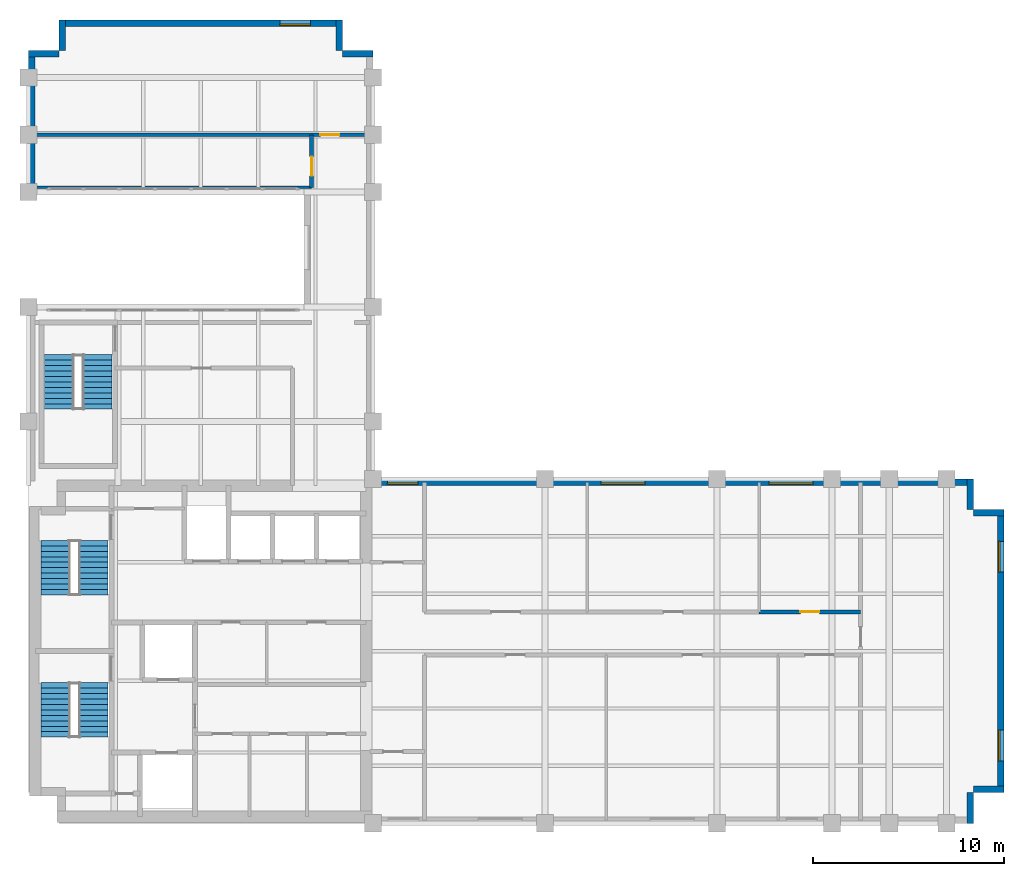
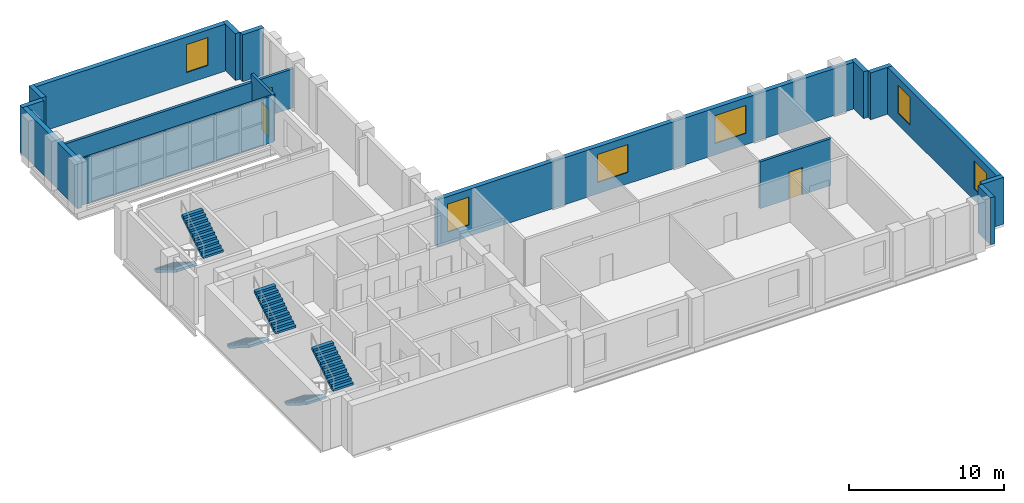
# One storey, part 8 of 9: 16 walls, 6 stair flights, 6 windows, 3 doors, 9 openings, 3 elements without a shape of their own.
"""IFC4 building model written with IfcOpenShell, lengths in metres."""

from ifc_helpers import new_model, si_unit, direction, frame, frame_2d, origin, place, context, subcontext, project, spatial, polyline, rectangle, outline, extrude, material, layer, layer_set, type_object, element, fill, aggregate, save


model = new_model("IFC4")

# Units and contexts
model_context = context("Model", 3, precision=1e-05, world=origin(), true_north=direction((0.0, 1.0)))
body_context = subcontext(model_context, "Body", "Model", "MODEL_VIEW")
ifc_project = project(units=[si_unit("LENGTHUNIT", "METRE"), si_unit("AREAUNIT", "SQUARE_METRE"), si_unit("VOLUMEUNIT", "CUBIC_METRE"), si_unit("PLANEANGLEUNIT", "RADIAN"), si_unit("MASSUNIT", "GRAM", prefix="KILO")], contexts=[model_context])

# Site, building, storey
site_placement = place(None, origin())
site = spatial("IfcSite", under=ifc_project, at=site_placement, CompositionType="ELEMENT")
building_placement = place(site_placement, origin())
building = spatial("IfcBuilding", under=site, at=building_placement, Name="Mawjdan Bourse Tower", CompositionType="ELEMENT")
storey_placement = place(building_placement, frame((0.0, 0.0, 195.60009765625)))
storey = spatial("IfcBuildingStorey", under=building, at=storey_placement, Name="L47", CompositionType="ELEMENT", Elevation=195.60009765625)

# Walls
ifc_material_1 = material(Name="Brick Masonry Buff", Category="masonry")
ifc_layer_1 = layer(ifc_material_1, 0.340087890625)
ifc_layer_set_1 = layer_set([ifc_layer_1], Name="Brick Masonry Buff")
wall_type_1 = type_object("IfcWallType", Name="WL-BRK-SPN-340", PredefinedType="STANDARD", material=ifc_layer_set_1)
for number, where, z_axis, x_axis, name in (
    (1, (55.22998046875, 3.0, 0.0), (0.0, 0.0, 1.0), (0.0, 1.0, 0.0), "L47 Exterior Brick Wall 2"),
    (2, (55.39990234375, 4.77001953125, 0.0), (0.0, 0.0, 1.0), (1.0, 0.0, 0.0), "L47 Exterior Brick Wall 3"),
):
    element("IfcWall", number, at=place(storey_placement, frame(where, z_axis=z_axis, x_axis=x_axis)), inside=storey, type_object=wall_type_1, Name=name, PredefinedType="STANDARD", context=body_context, shape_type="SweptSolid", body=[
        extrude(rectangle(XDim=1.60009765625, YDim=0.340087890625, at=frame_2d((0.800048828125, 0.0))), origin(), (0.0, 0.0, 1.0), 3.699951171875),
    ])

# Wall, openings, windows
wall_1_placement = place(storey_placement, frame((56.830078125, 4.60009765625, 0.0), z_axis=(0.0, 0.0, 1.0), x_axis=(0.0, 1.0, 0.0)))
wall_1 = element("IfcWall", 3, at=wall_1_placement, inside=storey, type_object=wall_type_1, Name="L47 Exterior Brick Wall 4", PredefinedType="STANDARD", context=body_context, shape_type="SweptSolid", body=[
    extrude(rectangle(XDim=14.7998046875, YDim=0.340087890625, at=frame_2d((7.39990234375, 0.0))), origin(), (0.0, 0.0, 1.0), 3.699951171875),
])
opening_1_placement = place(wall_1_placement, frame((1.666748046875, 0.0, 0.89990234375)))
opening_1 = element("IfcOpeningElement", 4, at=opening_1_placement, cuts=wall_1, Name="Opening W-L47-03", PredefinedType="OPENING", context=body_context, shape_type="SweptSolid", body=[
    extrude(rectangle(XDim=1.60009765625, YDim=2.199951171875, at=frame_2d((0.800048828125, 1.10009765625))), frame((0.0, 0.18017578125, 0.0), z_axis=(0.0, -1.0, 0.0), x_axis=(1.0, 0.0, 0.0)), (0.0, 0.0, 1.0), 0.360107421875),
])
opening_2_placement = place(wall_1_placement, frame((11.533203125, 0.0, 0.89990234375)))
opening_2 = element("IfcOpeningElement", 5, at=opening_2_placement, cuts=wall_1, Name="Opening W-L47-04", PredefinedType="OPENING", context=body_context, shape_type="SweptSolid", body=[
    extrude(rectangle(XDim=1.60009765625, YDim=2.199951171875, at=frame_2d((0.800048828125, 1.10009765625))), frame((0.0, 0.18017578125, 0.0), z_axis=(0.0, -1.0, 0.0), x_axis=(1.0, 0.0, 0.0)), (0.0, 0.0, 1.0), 0.360107421875),
])
ifc_material_2 = material(Name="Solar-Control Clear Double Glazing", Category="glass")
window_type_1 = type_object("IfcWindowType", Name="WN-Z3-1600", PartitioningType="SINGLE_PANEL", PredefinedType="WINDOW", material=ifc_material_2)
window_1_placement = place(opening_1_placement, origin())
window_1 = element("IfcWindow", 6, at=window_1_placement, inside=storey, type_object=window_type_1, Name="L47 Deep-Set Masonry Window W-L47-03", OverallHeight=2.199951171875, OverallWidth=1.60009765625, PartitioningType="SINGLE_PANEL", PredefinedType="WINDOW", context=body_context, shape_type="SweptSolid", body=[
    extrude(rectangle(XDim=1.60009765625, YDim=2.199951171875, at=frame_2d((0.800048828125, 1.10009765625))), frame((0.0, 0.110107421875, 0.0), z_axis=(0.0, -1.0, 0.0), x_axis=(1.0, 0.0, 0.0)), (0.0, 0.0, 1.0), 0.06005859375),
])
fill(opening_1, window_1)
window_2_placement = place(opening_2_placement, origin())
window_2 = element("IfcWindow", 7, at=window_2_placement, inside=storey, type_object=window_type_1, Name="L47 Deep-Set Masonry Window W-L47-04", OverallHeight=2.199951171875, OverallWidth=1.60009765625, PartitioningType="SINGLE_PANEL", PredefinedType="WINDOW", context=body_context, shape_type="SweptSolid", body=[
    extrude(rectangle(XDim=1.60009765625, YDim=2.199951171875, at=frame_2d((0.800048828125, 1.10009765625))), frame((0.0, 0.110107421875, 0.0), z_axis=(0.0, -1.0, 0.0), x_axis=(1.0, 0.0, 0.0)), (0.0, 0.0, 1.0), 0.06005859375),
])
fill(opening_2, window_2)

# Walls
for number, where, z_axis, x_axis, name in (
    (8, (57.0, 19.22998046875, 0.0), (0.0, 0.0, 1.0), (-1.0, 0.0, 0.0), "L47 Exterior Brick Wall 5"),
    (9, (55.22998046875, 19.39990234375, 0.0), (0.0, 0.0, 1.0), (0.0, 1.0, 0.0), "L47 Exterior Brick Wall 6"),
):
    element("IfcWall", number, at=place(storey_placement, frame(where, z_axis=z_axis, x_axis=x_axis)), inside=storey, type_object=wall_type_1, Name=name, PredefinedType="STANDARD", context=body_context, shape_type="SweptSolid", body=[
        extrude(rectangle(XDim=1.60009765625, YDim=0.340087890625, at=frame_2d((0.800048828125, 0.0))), origin(), (0.0, 0.0, 1.0), 3.699951171875),
    ])

# Wall, openings, windows
wall_2_placement = place(storey_placement, frame((55.39990234375, 20.830078125, 0.0), z_axis=(0.0, 0.0, 1.0), x_axis=(-1.0, 0.0, 0.0)))
wall_2 = element("IfcWall", 10, at=wall_2_placement, inside=storey, type_object=wall_type_1, Name="L47 Exterior Brick Wall 7", PredefinedType="STANDARD", context=body_context, shape_type="SweptSolid", body=[
    extrude(rectangle(XDim=31.39990234375, YDim=0.340087890625, at=frame_2d((15.699951171875, 0.0))), origin(), (0.0, 0.0, 1.0), 3.699951171875),
])
opening_3_placement = place(wall_2_placement, frame((17.166748046875, 0.0, 0.89990234375)))
opening_3 = element("IfcOpeningElement", 11, at=opening_3_placement, cuts=wall_2, Name="Opening W-L47-05", PredefinedType="OPENING", context=body_context, shape_type="SweptSolid", body=[
    extrude(rectangle(XDim=2.300048828125, YDim=2.199951171875, at=frame_2d((1.14990234375, 1.10009765625))), frame((0.0, 0.18017578125, 0.0), z_axis=(0.0, -1.0, 0.0), x_axis=(1.0, 0.0, 0.0)), (0.0, 0.0, 1.0), 0.360107421875),
])
opening_4_placement = place(wall_2_placement, frame((29.0458984375, 0.0, 0.89990234375)))
opening_4 = element("IfcOpeningElement", 12, at=opening_4_placement, cuts=wall_2, Name="Opening W-L47-09", PredefinedType="OPENING", context=body_context, shape_type="SweptSolid", body=[
    extrude(rectangle(XDim=1.60009765625, YDim=2.199951171875, at=frame_2d((0.800048828125, 1.10009765625))), frame((0.0, 0.18017578125, 0.0), z_axis=(0.0, -1.0, 0.0), x_axis=(1.0, 0.0, 0.0)), (0.0, 0.0, 1.0), 0.360107421875),
])
opening_5_placement = place(wall_2_placement, frame((8.374755859375, 0.0, 0.89990234375)))
opening_5 = element("IfcOpeningElement", 13, at=opening_5_placement, cuts=wall_2, Name="Opening W-L47-11", PredefinedType="OPENING", context=body_context, shape_type="SweptSolid", body=[
    extrude(rectangle(XDim=2.300048828125, YDim=2.199951171875, at=frame_2d((1.14990234375, 1.10009765625))), frame((0.0, 0.18017578125, 0.0), z_axis=(0.0, -1.0, 0.0), x_axis=(1.0, 0.0, 0.0)), (0.0, 0.0, 1.0), 0.360107421875),
])
window_3_placement = place(opening_4_placement, origin())
window_3 = element("IfcWindow", 14, at=window_3_placement, inside=storey, type_object=window_type_1, Name="L47 Deep-Set Masonry Window W-L47-09", OverallHeight=2.199951171875, OverallWidth=1.60009765625, PartitioningType="SINGLE_PANEL", PredefinedType="WINDOW", context=body_context, shape_type="SweptSolid", body=[
    extrude(rectangle(XDim=1.60009765625, YDim=2.199951171875, at=frame_2d((0.800048828125, 1.10009765625))), frame((0.0, 0.110107421875, 0.0), z_axis=(0.0, -1.0, 0.0), x_axis=(1.0, 0.0, 0.0)), (0.0, 0.0, 1.0), 0.06005859375),
])
fill(opening_4, window_3)
window_type_2 = type_object("IfcWindowType", Name="WN-Z3-2300", PartitioningType="SINGLE_PANEL", PredefinedType="WINDOW", material=ifc_material_2)
window_4_placement = place(opening_3_placement, origin())
window_4 = element("IfcWindow", 15, at=window_4_placement, inside=storey, type_object=window_type_2, Name="L47 Deep-Set Masonry Window W-L47-05", OverallHeight=2.199951171875, OverallWidth=2.300048828125, PartitioningType="SINGLE_PANEL", PredefinedType="WINDOW", context=body_context, shape_type="SweptSolid", body=[
    extrude(rectangle(XDim=2.300048828125, YDim=2.199951171875, at=frame_2d((1.14990234375, 1.10009765625))), frame((0.0, 0.110107421875, 0.0), z_axis=(0.0, -1.0, 0.0), x_axis=(1.0, 0.0, 0.0)), (0.0, 0.0, 1.0), 0.06005859375),
])
fill(opening_3, window_4)
window_5_placement = place(opening_5_placement, origin())
window_5 = element("IfcWindow", 16, at=window_5_placement, inside=storey, type_object=window_type_2, Name="L47 Deep-Set Masonry Window W-L47-11", OverallHeight=2.199951171875, OverallWidth=2.300048828125, PartitioningType="SINGLE_PANEL", PredefinedType="WINDOW", context=body_context, shape_type="SweptSolid", body=[
    extrude(rectangle(XDim=2.300048828125, YDim=2.199951171875, at=frame_2d((1.14990234375, 1.10009765625))), frame((0.0, 0.110107421875, 0.0), z_axis=(0.0, -1.0, 0.0), x_axis=(1.0, 0.0, 0.0)), (0.0, 0.0, 1.0), 0.06005859375),
])
fill(opening_5, window_5)

# Walls
for number, where, z_axis, x_axis, name in (
    (17, (24.0, 43.22998046875, 0.0), (0.0, 0.0, 1.0), (-1.0, 0.0, 0.0), "L47 Exterior Brick Wall 9"),
    (18, (22.22998046875, 43.39990234375, 0.0), (0.0, 0.0, 1.0), (0.0, 1.0, 0.0), "L47 Exterior Brick Wall 10"),
):
    element("IfcWall", number, at=place(storey_placement, frame(where, z_axis=z_axis, x_axis=x_axis)), inside=storey, type_object=wall_type_1, Name=name, PredefinedType="STANDARD", context=body_context, shape_type="SweptSolid", body=[
        extrude(rectangle(XDim=1.60009765625, YDim=0.340087890625, at=frame_2d((0.800048828125, 0.0))), origin(), (0.0, 0.0, 1.0), 3.699951171875),
    ])

# Wall, opening, window
wall_3_placement = place(storey_placement, frame((22.39990234375, 44.830078125, 0.0), z_axis=(0.0, 0.0, 1.0), x_axis=(-1.0, 0.0, 0.0)))
wall_3 = element("IfcWall", 19, at=wall_3_placement, inside=storey, type_object=wall_type_1, Name="L47 Exterior Brick Wall 11", PredefinedType="STANDARD", context=body_context, shape_type="SweptSolid", body=[
    extrude(rectangle(XDim=14.7998046875, YDim=0.340087890625, at=frame_2d((7.39990234375, 0.0))), origin(), (0.0, 0.0, 1.0), 3.699951171875),
])
opening_6_placement = place(wall_3_placement, frame((1.666748046875, 0.0, 0.89990234375)))
opening_6 = element("IfcOpeningElement", 20, at=opening_6_placement, cuts=wall_3, Name="Opening W-L47-06", PredefinedType="OPENING", context=body_context, shape_type="SweptSolid", body=[
    extrude(rectangle(XDim=1.60009765625, YDim=2.199951171875, at=frame_2d((0.800048828125, 1.10009765625))), frame((0.0, 0.18017578125, 0.0), z_axis=(0.0, -1.0, 0.0), x_axis=(1.0, 0.0, 0.0)), (0.0, 0.0, 1.0), 0.360107421875),
])
window_6_placement = place(opening_6_placement, origin())
window_6 = element("IfcWindow", 21, at=window_6_placement, inside=storey, type_object=window_type_1, Name="L47 Deep-Set Masonry Window W-L47-06", OverallHeight=2.199951171875, OverallWidth=1.60009765625, PartitioningType="SINGLE_PANEL", PredefinedType="WINDOW", context=body_context, shape_type="SweptSolid", body=[
    extrude(rectangle(XDim=1.60009765625, YDim=2.199951171875, at=frame_2d((0.800048828125, 1.10009765625))), frame((0.0, 0.110107421875, 0.0), z_axis=(0.0, -1.0, 0.0), x_axis=(1.0, 0.0, 0.0)), (0.0, 0.0, 1.0), 0.06005859375),
])
fill(opening_6, window_6)

# Walls
for number, where, z_axis, x_axis, name in (
    (22, (7.77001953125, 45.0, 0.0), (0.0, 0.0, 1.0), (0.0, -1.0, 0.0), "L47 Exterior Brick Wall 12"),
    (23, (7.60009765625, 43.22998046875, 0.0), (0.0, 0.0, 1.0), (-1.0, 0.0, 0.0), "L47 Exterior Brick Wall 13"),
):
    element("IfcWall", number, at=place(storey_placement, frame(where, z_axis=z_axis, x_axis=x_axis)), inside=storey, type_object=wall_type_1, Name=name, PredefinedType="STANDARD", context=body_context, shape_type="SweptSolid", body=[
        extrude(rectangle(XDim=1.60009765625, YDim=0.340087890625, at=frame_2d((0.800048828125, 0.0))), origin(), (0.0, 0.0, 1.0), 3.699951171875),
    ])
wall_4_placement = place(storey_placement, frame((6.169921875, 43.39990234375, 0.0), z_axis=(0.0, 0.0, 1.0), x_axis=(0.0, -1.0, 0.0)))
element("IfcWall", 24, at=wall_4_placement, inside=storey, type_object=wall_type_1, Name="L47 Exterior Brick Wall 14", PredefinedType="STANDARD", context=body_context, shape_type="SweptSolid", body=[
    extrude(rectangle(XDim=7.39990234375, YDim=0.340087890625, at=frame_2d((3.699951171875, 0.0))), origin(), (0.0, 0.0, 1.0), 3.699951171875),
])

# Wall, opening, door
ifc_material_3 = material(Name="Gypsum Fireboard Assembly")
ifc_layer_2 = layer(ifc_material_3, 0.199951171875)
ifc_layer_set_2 = layer_set([ifc_layer_2], Name="Gypsum Fireboard Assembly")
wall_type_2 = type_object("IfcWallType", Name="WL-CMP-200", PredefinedType="PARTITIONING", material=ifc_layer_set_2)
wall_5_placement = place(storey_placement, frame((44.199951171875, 14.050048828125, 0.0), z_axis=(0.0, 0.0, 1.0), x_axis=(1.0, 0.0, 0.0)))
wall_5 = element("IfcWall", 25, at=wall_5_placement, inside=storey, type_object=wall_type_2, Name="L47 Archive Room Corridor Wall", PredefinedType="PARTITIONING", context=body_context, shape_type="SweptSolid", body=[
    extrude(rectangle(XDim=5.300048828125, YDim=0.199951171875, at=frame_2d((2.64990234375, 0.0))), origin(), (0.0, 0.0, 1.0), 3.68994140625),
])
opening_7_placement = place(wall_5_placement, frame((2.14990234375, 0.0, 0.0)))
opening_7 = element("IfcOpeningElement", 26, at=opening_7_placement, cuts=wall_5, Name="Opening D-L47-27", PredefinedType="OPENING", context=body_context, shape_type="SweptSolid", body=[
    extrude(rectangle(XDim=1.0, YDim=2.14990234375, at=frame_2d((0.5, 1.074951171875))), frame((0.0, 0.10986328125, 0.0), z_axis=(0.0, -1.0, 0.0), x_axis=(1.0, 0.0, 0.0)), (0.0, 0.0, 1.0), 0.219970703125),
])
ifc_material_4 = material(Name="Hardwood Acoustic Leaf", Category="wood")
door_type = type_object("IfcDoorType", Name="DR-OFC-1000", OperationType="NOTDEFINED", PredefinedType="DOOR", material=ifc_material_4)
door_1_placement = place(opening_7_placement, origin())
door_1 = element("IfcDoor", 27, at=door_1_placement, inside=storey, type_object=door_type, Name="L47 Archive Room Door D-L47-27", OperationType="SINGLE_SWING_RIGHT", OverallHeight=2.14990234375, OverallWidth=1.0, PredefinedType="DOOR", context=body_context, shape_type="SweptSolid", body=[
    extrude(rectangle(XDim=1.0, YDim=2.14990234375, at=frame_2d((0.5, 1.074951171875))), frame((0.0, 0.02490234375, 0.0), z_axis=(0.0, -1.0, 0.0), x_axis=(1.0, 0.0, 0.0)), (0.0, 0.0, 1.0), 0.050048828125),
])
fill(opening_7, door_1)

wall_6_placement = place(storey_placement, frame((20.800048828125, 36.25, 0.0), z_axis=(0.0, 0.0, 1.0), x_axis=(0.0, 1.0, 0.0)))
wall_6 = element("IfcWall", 28, at=wall_6_placement, inside=storey, type_object=wall_type_2, Name="L47 North Portal Outer Corridor Wall", PredefinedType="PARTITIONING", context=body_context, shape_type="SweptSolid", body=[
    extrude(rectangle(XDim=2.75, YDim=0.199951171875, at=frame_2d((1.375, 0.0))), origin(), (0.0, 0.0, 1.0), 3.68994140625),
])
opening_8_placement = place(wall_6_placement, frame((0.60009765625, 0.0, 0.0)))
opening_8 = element("IfcOpeningElement", 29, at=opening_8_placement, cuts=wall_6, Name="Opening D-L47-30", PredefinedType="OPENING", context=body_context, shape_type="SweptSolid", body=[
    extrude(rectangle(XDim=1.0, YDim=2.14990234375, at=frame_2d((0.5, 1.074951171875))), frame((0.0, 0.10986328125, 0.0), z_axis=(0.0, -1.0, 0.0), x_axis=(1.0, 0.0, 0.0)), (0.0, 0.0, 1.0), 0.219970703125),
])
door_2_placement = place(opening_8_placement, origin())
door_2 = element("IfcDoor", 30, at=door_2_placement, inside=storey, type_object=door_type, Name="L47 North Portal Outer Suite Door D-L47-30", OperationType="SINGLE_SWING_LEFT", OverallHeight=2.14990234375, OverallWidth=1.0, PredefinedType="DOOR", context=body_context, shape_type="SweptSolid", body=[
    extrude(rectangle(XDim=1.0, YDim=2.14990234375, at=frame_2d((0.5, 1.074951171875))), frame((0.0, 0.02490234375, 0.0), z_axis=(0.0, -1.0, 0.0), x_axis=(1.0, 0.0, 0.0)), (0.0, 0.0, 1.0), 0.050048828125),
])
fill(opening_8, door_2)

wall_7_placement = place(storey_placement, frame((6.179931640625, 39.0, 0.0), z_axis=(0.0, 0.0, 1.0), x_axis=(1.0, 0.0, 0.0)))
wall_7 = element("IfcWall", 31, at=wall_7_placement, inside=storey, type_object=wall_type_2, Name="L47 North Tip Full Cross Wall", PredefinedType="PARTITIONING", context=body_context, shape_type="SweptSolid", body=[
    extrude(rectangle(XDim=17.64013671875, YDim=0.199951171875, at=frame_2d((8.820068359375, 0.0))), origin(), (0.0, 0.0, 1.0), 3.072998046875),
])
opening_9_placement = place(wall_7_placement, frame((15.074951171875, 0.0, 0.0)))
opening_9 = element("IfcOpeningElement", 32, at=opening_9_placement, cuts=wall_7, Name="Opening D-L47-31", PredefinedType="OPENING", context=body_context, shape_type="SweptSolid", body=[
    extrude(rectangle(XDim=1.0, YDim=2.14990234375, at=frame_2d((0.5, 1.074951171875))), frame((0.0, 0.10986328125, 0.0), z_axis=(0.0, -1.0, 0.0), x_axis=(1.0, 0.0, 0.0)), (0.0, 0.0, 1.0), 0.219970703125),
])
door_3_placement = place(opening_9_placement, origin())
door_3 = element("IfcDoor", 33, at=door_3_placement, inside=storey, type_object=door_type, Name="L47 North Tip Suite Door D-L47-31", OperationType="SINGLE_SWING_RIGHT", OverallHeight=2.14990234375, OverallWidth=1.0, PredefinedType="DOOR", context=body_context, shape_type="SweptSolid", body=[
    extrude(rectangle(XDim=1.0, YDim=2.14990234375, at=frame_2d((0.5, 1.074951171875))), frame((0.0, 0.02490234375, 0.0), z_axis=(0.0, -1.0, 0.0), x_axis=(1.0, 0.0, 0.0)), (0.0, 0.0, 1.0), 0.050048828125),
])
fill(opening_9, door_3)

# Wall
ifc_material_5 = material(Name="Gypsum Partition")
ifc_layer_3 = layer(ifc_material_5, 0.125)
ifc_layer_set_3 = layer_set([ifc_layer_3], Name="Gypsum Partition")
wall_type_3 = type_object("IfcWallType", Name="WL-PRT-125", PredefinedType="PARTITIONING", material=ifc_layer_set_3)
wall_8_placement = place(storey_placement, frame((6.179931640625, 36.25, 0.0), z_axis=(0.0, 0.0, 1.0), x_axis=(1.0, 0.0, 0.0)))
element("IfcWall", 34, at=wall_8_placement, inside=storey, type_object=wall_type_3, Name="L47 North Portal North Cheek Wall", PredefinedType="PARTITIONING", context=body_context, shape_type="SweptSolid", body=[
    extrude(rectangle(XDim=14.6201171875, YDim=0.125, at=frame_2d((7.31005859375, 0.0))), origin(), (0.0, 0.0, 1.0), 3.68994140625),
])

# Stair, stair flights
ifc_material_6 = material(Name="Concrete C50/60", Category="concrete")
stair_type = type_object("IfcStairType", Name="STR-CORE-1500", PredefinedType="HALF_TURN_STAIR", material=ifc_material_6)
stair_1_placement = place(storey_placement, origin())
stair_1 = element("IfcStair", 35, at=stair_1_placement, inside=storey, type_object=stair_type, Name="L47 Exit Stair 1 (Core South-West)", PredefinedType="HALF_TURN_STAIR")
stair_flight_type = type_object("IfcStairFlightType", Name="SFL-RC-1500", PredefinedType="STRAIGHT", material=ifc_material_6)
stair_flight_1_placement = place(storey_placement, frame((7.389892578125, 10.35009765625, 0.0), z_axis=(0.0, 0.0, 1.0), x_axis=(0.0, -1.0, 0.0)))
stair_flight_1 = element("IfcStairFlight", 36, at=stair_flight_1_placement, type_object=stair_flight_type, Name="ST1-L47 flight 1", NumberOfRisers=11, NumberOfTreads=10, PredefinedType="STRAIGHT", RiserHeight=0.177273, TreadLength=0.285, context=body_context, shape_type="SweptSolid", body=[
    extrude(outline(polyline([(0.0, 0.0), (0.0, 0.17724609375), (0.284912109375, 0.17724609375), (0.284912109375, 0.3544921875), (0.570068359375, 0.3544921875), (0.570068359375, 0.53173828125), (0.85498046875, 0.53173828125), (0.85498046875, 0.708984375), (1.139892578125, 0.708984375), (1.139892578125, 0.886474609375), (1.425048828125, 0.886474609375), (1.425048828125, 1.063720703125), (1.7099609375, 1.063720703125), (1.7099609375, 1.240966796875), (1.9951171875, 1.240966796875), (1.9951171875, 1.418212890625), (2.280029296875, 1.418212890625), (2.280029296875, 1.595458984375), (2.56494140625, 1.595458984375), (2.56494140625, 1.772705078125), (2.85009765625, 1.772705078125), (2.85009765625, 1.949951171875), (2.85009765625, 1.58447265625), (0.302734375, 0.0), (0.0, 0.0)])), frame((0.0, 0.75, 0.0), z_axis=(0.0, -1.0, 0.0), x_axis=(1.0, 0.0, 0.0)), (0.0, 0.0, 1.0), 1.5),
])
stair_flight_2_placement = place(storey_placement, frame((9.409912109375, 7.5, 1.949951171875), z_axis=(0.0, 0.0, 1.0), x_axis=(0.0, 1.0, 0.0)))
stair_flight_2 = element("IfcStairFlight", 37, at=stair_flight_2_placement, type_object=stair_flight_type, Name="ST1-L47 flight 2", NumberOfRisers=11, NumberOfTreads=10, PredefinedType="STRAIGHT", RiserHeight=0.177273, TreadLength=0.285, context=body_context, shape_type="SweptSolid", body=[
    extrude(outline(polyline([(0.0, 0.0), (0.0, 0.17724609375), (0.284912109375, 0.17724609375), (0.284912109375, 0.3544921875), (0.570068359375, 0.3544921875), (0.570068359375, 0.53173828125), (0.85498046875, 0.53173828125), (0.85498046875, 0.708984375), (1.139892578125, 0.708984375), (1.139892578125, 0.886474609375), (1.425048828125, 0.886474609375), (1.425048828125, 1.063720703125), (1.7099609375, 1.063720703125), (1.7099609375, 1.240966796875), (1.9951171875, 1.240966796875), (1.9951171875, 1.418212890625), (2.280029296875, 1.418212890625), (2.280029296875, 1.595458984375), (2.56494140625, 1.595458984375), (2.56494140625, 1.772705078125), (2.85009765625, 1.772705078125), (2.85009765625, 1.949951171875), (2.85009765625, 1.58447265625), (0.302734375, 0.0), (0.0, 0.0)])), frame((0.0, 0.75, 0.0), z_axis=(0.0, -1.0, 0.0), x_axis=(1.0, 0.0, 0.0)), (0.0, 0.0, 1.0), 1.5),
])
aggregate(stair_1, [stair_flight_1, stair_flight_2])

stair_2_placement = place(storey_placement, origin())
stair_2 = element("IfcStair", 38, at=stair_2_placement, inside=storey, type_object=stair_type, Name="L47 Exit Stair 2 (Core North-West)", PredefinedType="HALF_TURN_STAIR")
stair_flight_3_placement = place(storey_placement, frame((7.389892578125, 17.7900390625, 0.0), z_axis=(0.0, 0.0, 1.0), x_axis=(0.0, -1.0, 0.0)))
stair_flight_3 = element("IfcStairFlight", 39, at=stair_flight_3_placement, type_object=stair_flight_type, Name="ST2-L47 flight 1", NumberOfRisers=11, NumberOfTreads=10, PredefinedType="STRAIGHT", RiserHeight=0.177273, TreadLength=0.285, context=body_context, shape_type="SweptSolid", body=[
    extrude(outline(polyline([(0.0, 0.0), (0.0, 0.17724609375), (0.284912109375, 0.17724609375), (0.284912109375, 0.3544921875), (0.570068359375, 0.3544921875), (0.570068359375, 0.53173828125), (0.85498046875, 0.53173828125), (0.85498046875, 0.708984375), (1.139892578125, 0.708984375), (1.139892578125, 0.886474609375), (1.425048828125, 0.886474609375), (1.425048828125, 1.063720703125), (1.7099609375, 1.063720703125), (1.7099609375, 1.240966796875), (1.9951171875, 1.240966796875), (1.9951171875, 1.418212890625), (2.280029296875, 1.418212890625), (2.280029296875, 1.595458984375), (2.56494140625, 1.595458984375), (2.56494140625, 1.772705078125), (2.85009765625, 1.772705078125), (2.85009765625, 1.949951171875), (2.85009765625, 1.58447265625), (0.302734375, 0.0), (0.0, 0.0)])), frame((0.0, 0.75, 0.0), z_axis=(0.0, -1.0, 0.0), x_axis=(1.0, 0.0, 0.0)), (0.0, 0.0, 1.0), 1.5),
])
stair_flight_4_placement = place(storey_placement, frame((9.409912109375, 14.93994140625, 1.949951171875), z_axis=(0.0, 0.0, 1.0), x_axis=(0.0, 1.0, 0.0)))
stair_flight_4 = element("IfcStairFlight", 40, at=stair_flight_4_placement, type_object=stair_flight_type, Name="ST2-L47 flight 2", NumberOfRisers=11, NumberOfTreads=10, PredefinedType="STRAIGHT", RiserHeight=0.177273, TreadLength=0.285, context=body_context, shape_type="SweptSolid", body=[
    extrude(outline(polyline([(0.0, 0.0), (0.0, 0.17724609375), (0.284912109375, 0.17724609375), (0.284912109375, 0.3544921875), (0.570068359375, 0.3544921875), (0.570068359375, 0.53173828125), (0.85498046875, 0.53173828125), (0.85498046875, 0.708984375), (1.139892578125, 0.708984375), (1.139892578125, 0.886474609375), (1.425048828125, 0.886474609375), (1.425048828125, 1.063720703125), (1.7099609375, 1.063720703125), (1.7099609375, 1.240966796875), (1.9951171875, 1.240966796875), (1.9951171875, 1.418212890625), (2.280029296875, 1.418212890625), (2.280029296875, 1.595458984375), (2.56494140625, 1.595458984375), (2.56494140625, 1.772705078125), (2.85009765625, 1.772705078125), (2.85009765625, 1.949951171875), (2.85009765625, 1.58447265625), (0.302734375, 0.0), (0.0, 0.0)])), frame((0.0, 0.75, 0.0), z_axis=(0.0, -1.0, 0.0), x_axis=(1.0, 0.0, 0.0)), (0.0, 0.0, 1.0), 1.5),
])
aggregate(stair_2, [stair_flight_3, stair_flight_4])

stair_3_placement = place(storey_placement, origin())
stair_3 = element("IfcStair", 41, at=stair_3_placement, inside=storey, type_object=stair_type, Name="L47 Exit Stair 3 (North Wing)", PredefinedType="HALF_TURN_STAIR")
stair_flight_5_placement = place(storey_placement, frame((7.590087890625, 27.5, 0.0), z_axis=(0.0, 0.0, 1.0), x_axis=(0.0, -1.0, 0.0)))
stair_flight_5 = element("IfcStairFlight", 42, at=stair_flight_5_placement, type_object=stair_flight_type, Name="ST3-L47 flight 1", NumberOfRisers=11, NumberOfTreads=10, PredefinedType="STRAIGHT", RiserHeight=0.177273, TreadLength=0.285, context=body_context, shape_type="SweptSolid", body=[
    extrude(outline(polyline([(0.0, 0.0), (0.0, 0.17724609375), (0.284912109375, 0.17724609375), (0.284912109375, 0.3544921875), (0.570068359375, 0.3544921875), (0.570068359375, 0.53173828125), (0.85498046875, 0.53173828125), (0.85498046875, 0.708984375), (1.139892578125, 0.708984375), (1.139892578125, 0.886474609375), (1.425048828125, 0.886474609375), (1.425048828125, 1.063720703125), (1.7099609375, 1.063720703125), (1.7099609375, 1.240966796875), (1.9951171875, 1.240966796875), (1.9951171875, 1.418212890625), (2.280029296875, 1.418212890625), (2.280029296875, 1.595458984375), (2.56494140625, 1.595458984375), (2.56494140625, 1.772705078125), (2.85009765625, 1.772705078125), (2.85009765625, 1.949951171875), (2.85009765625, 1.58447265625), (0.302734375, 0.0), (0.0, 0.0)])), frame((0.0, 0.75, 0.0), z_axis=(0.0, -1.0, 0.0), x_axis=(1.0, 0.0, 0.0)), (0.0, 0.0, 1.0), 1.5),
])
stair_flight_6_placement = place(storey_placement, frame((9.610107421875, 24.64990234375, 1.949951171875), z_axis=(0.0, 0.0, 1.0), x_axis=(0.0, 1.0, 0.0)))
stair_flight_6 = element("IfcStairFlight", 43, at=stair_flight_6_placement, type_object=stair_flight_type, Name="ST3-L47 flight 2", NumberOfRisers=11, NumberOfTreads=10, PredefinedType="STRAIGHT", RiserHeight=0.177273, TreadLength=0.285, context=body_context, shape_type="SweptSolid", body=[
    extrude(outline(polyline([(0.0, 0.0), (0.0, 0.17724609375), (0.284912109375, 0.17724609375), (0.284912109375, 0.3544921875), (0.570068359375, 0.3544921875), (0.570068359375, 0.53173828125), (0.85498046875, 0.53173828125), (0.85498046875, 0.708984375), (1.139892578125, 0.708984375), (1.139892578125, 0.886474609375), (1.425048828125, 0.886474609375), (1.425048828125, 1.063720703125), (1.7099609375, 1.063720703125), (1.7099609375, 1.240966796875), (1.9951171875, 1.240966796875), (1.9951171875, 1.418212890625), (2.280029296875, 1.418212890625), (2.280029296875, 1.595458984375), (2.56494140625, 1.595458984375), (2.56494140625, 1.772705078125), (2.85009765625, 1.772705078125), (2.85009765625, 1.949951171875), (2.85009765625, 1.58447265625), (0.302734375, 0.0), (0.0, 0.0)])), frame((0.0, 0.75, 0.0), z_axis=(0.0, -1.0, 0.0), x_axis=(1.0, 0.0, 0.0)), (0.0, 0.0, 1.0), 1.5),
])
aggregate(stair_3, [stair_flight_5, stair_flight_6])

save(model, "model.ifc")
